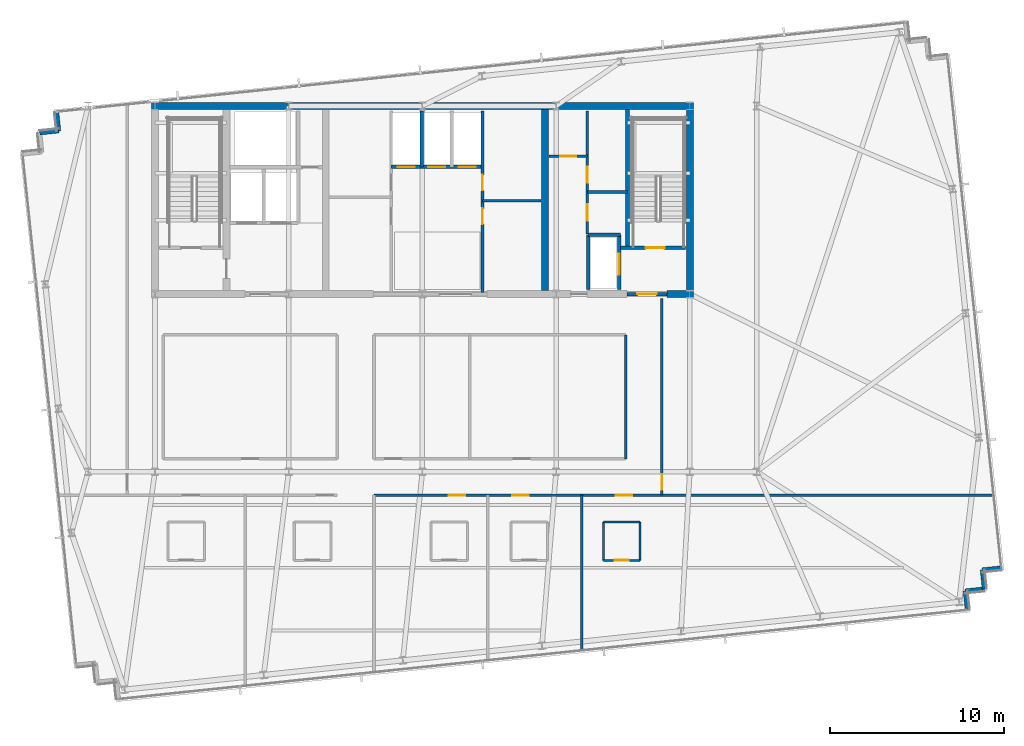
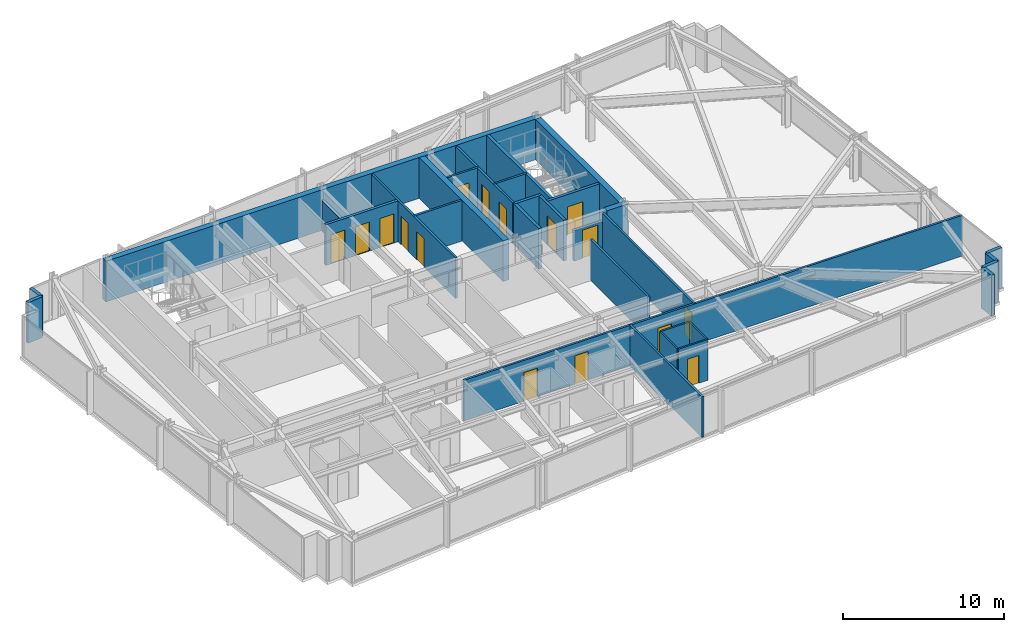
# One storey, part 28 of 33: 31 walls, 16 doors, 16 openings.
"""IFC4 building model written with IfcOpenShell, lengths in metres."""

from ifc_helpers import new_model, si_unit, direction, frame, frame_2d, origin, place, context, subcontext, project, spatial, rectangle, extrude, material, layer, layer_set, type_object, element, fill, save


model = new_model("IFC4")

# Units and contexts
model_context = context("Model", 3, precision=1e-05, world=origin(), true_north=direction((0.0, 1.0)))
body_context = subcontext(model_context, "Body", "Model", "MODEL_VIEW")
ifc_project = project(units=[si_unit("LENGTHUNIT", "METRE"), si_unit("AREAUNIT", "SQUARE_METRE"), si_unit("VOLUMEUNIT", "CUBIC_METRE"), si_unit("PLANEANGLEUNIT", "RADIAN"), si_unit("MASSUNIT", "GRAM", prefix="KILO")], contexts=[model_context])

# Site, building, storey
site_placement = place(None, origin())
site = spatial("IfcSite", under=ifc_project, at=site_placement, CompositionType="ELEMENT")
building_placement = place(site_placement, origin())
building = spatial("IfcBuilding", under=site, at=building_placement, Name="Yelkora Congress Tower", CompositionType="ELEMENT")
storey_placement = place(building_placement, frame((0.0, 0.0, 221.0)))
storey = spatial("IfcBuildingStorey", under=building, at=storey_placement, Name="L61", CompositionType="ELEMENT", Elevation=221.0)

# Walls
ifc_material_1 = material(Name="Concrete C50/60", Category="concrete")
ifc_layer_1 = layer(ifc_material_1, 0.219970703125)
ifc_layer_set_1 = layer_set([ifc_layer_1], Name="Concrete C50/60")
wall_type_1 = type_object("IfcWallType", Name="WALL-CORE-INT-220", PredefinedType="SHEAR", material=ifc_layer_set_1)
wall_1_placement = place(storey_placement, frame((50.179931640625, 38.050048828125, 0.0), z_axis=(0.0, 0.0, 1.0), x_axis=(0.0, 1.0, 0.0)))
element("IfcWall", 1, at=wall_1_placement, inside=storey, type_object=wall_type_1, Name="L61 ST02 West Stair Shear Wall", PredefinedType="SHEAR", context=body_context, shape_type="SweptSolid", body=[
    extrude(rectangle(XDim=7.949951171875, YDim=0.219970703125, at=frame_2d((3.97509765625, 0.0))), origin(), (0.0, 0.0, 1.0), 3.080078125),
])
ifc_layer_2 = layer(ifc_material_1, 0.39990234375)
ifc_layer_set_2 = layer_set([ifc_layer_2], Name="Concrete C50/60")
wall_type_2 = type_object("IfcWallType", Name="WALL-CORE-INT-400", PredefinedType="SHEAR", material=ifc_layer_set_2)
wall_2_placement = place(storey_placement, frame((22.840087890625, 46.199951171875, 0.0), z_axis=(0.0, 0.0, 1.0), x_axis=(1.0, 0.0, 0.0)))
element("IfcWall", 2, at=wall_2_placement, inside=storey, type_object=wall_type_2, Name="L61 Rear Core North Shear Wall", PredefinedType="SHEAR", context=body_context, shape_type="SweptSolid", body=[
    extrude(rectangle(XDim=31.119873046875, YDim=0.39990234375, at=frame_2d((15.56005859375, 0.0))), origin(), (0.0, 0.0, 1.0), 3.080078125),
])
wall_3_placement = place(storey_placement, frame((52.449951171875, 35.39990234375, 0.0), z_axis=(0.0, 0.0, 1.0), x_axis=(1.0, 0.0, 0.0)))
element("IfcWall", 3, at=wall_3_placement, inside=storey, type_object=wall_type_2, Name="L61 Rear Core South-East Shear Wall B", PredefinedType="SHEAR", context=body_context, shape_type="SweptSolid", body=[
    extrude(rectangle(XDim=1.510009765625, YDim=0.39990234375, at=frame_2d((0.7548828125, 0.0))), origin(), (0.0, 0.0, 1.0), 3.080078125),
])
for number, where, z_axis, x_axis, name in (
    (4, (45.449951171875, 35.60009765625, 0.0), (0.0, 0.0, 1.0), (0.0, 1.0, 0.0), "L61 Rear Core Cross Shear Wall C3"),
    (5, (53.760009765625, 35.60009765625, 0.0), (0.0, 0.0, 1.0), (0.0, 1.0, 0.0), "L61 Rear Core Cross Shear Wall E"),
):
    element("IfcWall", number, at=place(storey_placement, frame(where, z_axis=z_axis, x_axis=x_axis)), inside=storey, type_object=wall_type_2, Name=name, PredefinedType="SHEAR", context=body_context, shape_type="SweptSolid", body=[
        extrude(rectangle(XDim=10.39990234375, YDim=0.39990234375, at=frame_2d((5.199951171875, 0.0))), origin(), (0.0, 0.0, 1.0), 3.080078125),
    ])
ifc_material_2 = material(Name="Concrete C40/50", Category="concrete")
ifc_layer_3 = layer(ifc_material_2, 0.239990234375)
ifc_layer_set_3 = layer_set([ifc_layer_3], Name="Concrete C40/50")
wall_type_3 = type_object("IfcWallType", Name="WALL-EXT-LIMESTONE-240", PredefinedType="SOLIDWALL", material=ifc_layer_set_3)
wall_4_placement = place(storey_placement, frame((16.420166015625, 44.65380859375, 0.0), z_axis=(0.0, 0.0, 1.0), x_axis=(0.994541884982, 0.104338099541, 0.0)))
element("IfcWall", 6, at=wall_4_placement, inside=storey, type_object=wall_type_3, Name="L61 Serrated Corner Limestone Pier 8", PredefinedType="SOLIDWALL", context=body_context, shape_type="SweptSolid", body=[
    extrude(rectangle(XDim=1.099853515625, YDim=0.239990234375, at=frame_2d((0.5498046875, 0.0))), origin(), (0.0, 0.0, 1.0), 3.080078125),
])
for number, where, z_axis, x_axis, name in (
    (7, (17.513916015625, 44.7685546875, 0.0), (0.0, 0.0, 1.0), (-0.104534592565, 0.994521251134, 0.0), "L61 Serrated Corner Limestone Pier 9"),
    (8, (71.654052734375, 19.67041015625, 0.0), (0.0, 0.0, 1.0), (-0.994521251134, -0.104534592565, 0.0), "L61 Serrated Corner Limestone Pier 16"),
    (9, (70.56005859375, 19.555419921875, 0.0), (0.0, 0.0, 1.0), (0.104534592565, -0.994521251134, 0.0), "L61 Serrated Corner Limestone Pier 17"),
    (10, (70.675048828125, 18.46142578125, 0.0), (0.0, 0.0, 1.0), (-0.994521251134, -0.104534592565, 0.0), "L61 Serrated Corner Limestone Pier 18"),
    (11, (69.5810546875, 18.346435546875, 0.0), (0.0, 0.0, 1.0), (0.104534592565, -0.994521251134, 0.0), "L61 Serrated Corner Limestone Pier 19"),
):
    element("IfcWall", number, at=place(storey_placement, frame(where, z_axis=z_axis, x_axis=x_axis)), inside=storey, type_object=wall_type_3, Name=name, PredefinedType="SOLIDWALL", context=body_context, shape_type="SweptSolid", body=[
        extrude(rectangle(XDim=1.10009765625, YDim=0.239990234375, at=frame_2d((0.550048828125, 0.0))), origin(), (0.0, 0.0, 1.0), 3.080078125),
    ])
ifc_material_3 = material(Name="Moisture-resistant gypsum partition", Category="gypsum")
ifc_layer_4 = layer(ifc_material_3, 0.1201171875)
ifc_layer_set_4 = layer_set([ifc_layer_4], Name="Moisture-resistant gypsum partition")
wall_type_4 = type_object("IfcWallType", Name="WALL-INT-120-NR", PredefinedType="PARTITIONING", material=ifc_layer_set_4)
wall_5_placement = place(storey_placement, frame((48.81103515625, 22.300048828125, 0.0), z_axis=(0.0, 0.0, 1.0), x_axis=(1.0, 0.0, 0.0)))
element("IfcWall", 12, at=wall_5_placement, inside=storey, type_object=wall_type_4, Name="L61 Partition Wall 42", PredefinedType="PARTITIONING", context=body_context, shape_type="SweptSolid", body=[
    extrude(rectangle(XDim=2.099853515625, YDim=0.1201171875, at=frame_2d((1.0498046875, 0.0))), origin(), (0.0, 0.0, 1.0), 3.080078125),
])
for number, where, z_axis, x_axis, name in (
    (13, (48.81103515625, 20.10009765625, 0.0), (0.0, 0.0, 1.0), (0.0, 1.0, 0.0), "L61 Partition Wall 43"),
    (14, (50.910888671875, 20.10009765625, 0.0), (0.0, 0.0, 1.0), (0.0, 1.0, 0.0), "L61 Partition Wall 44"),
):
    element("IfcWall", number, at=place(storey_placement, frame(where, z_axis=z_axis, x_axis=x_axis)), inside=storey, type_object=wall_type_4, Name=name, PredefinedType="PARTITIONING", context=body_context, shape_type="SweptSolid", body=[
        extrude(rectangle(XDim=2.199951171875, YDim=0.1201171875, at=frame_2d((1.10009765625, 0.0))), origin(), (0.0, 0.0, 1.0), 3.080078125),
    ])

# Wall, opening, door
wall_6_placement = place(storey_placement, frame((48.81103515625, 20.10009765625, 0.0), z_axis=(0.0, 0.0, 1.0), x_axis=(1.0, 0.0, 0.0)))
wall_6 = element("IfcWall", 15, at=wall_6_placement, inside=storey, type_object=wall_type_4, Name="L61 Partition Wall 45", PredefinedType="PARTITIONING", context=body_context, shape_type="SweptSolid", body=[
    extrude(rectangle(XDim=2.099853515625, YDim=0.1201171875, at=frame_2d((1.0498046875, 0.0))), origin(), (0.0, 0.0, 1.0), 3.080078125),
])
opening_1_placement = place(wall_6_placement, frame((0.64990234375, 0.0, 0.0)))
opening_1 = element("IfcOpeningElement", 16, at=opening_1_placement, cuts=wall_6, Name="Opening DR-080B", PredefinedType="OPENING", context=body_context, shape_type="SweptSolid", body=[
    extrude(rectangle(XDim=0.800048828125, YDim=2.10009765625, at=frame_2d((0.39990234375, 1.050048828125))), frame((0.0, 0.070068359375, 0.0), z_axis=(0.0, -1.0, 0.0), x_axis=(1.0, 0.0, 0.0)), (0.0, 0.0, 1.0), 0.14013671875),
])
ifc_material_4 = material(Name="Moisture-sealed en-suite timber door", Category="wood")
door_type_1 = type_object("IfcDoorType", Name="DOOR-BATH-800", OperationType="NOTDEFINED", PredefinedType="DOOR", material=ifc_material_4)
door_1_placement = place(opening_1_placement, origin())
door_1 = element("IfcDoor", 17, at=door_1_placement, inside=storey, type_object=door_type_1, Name="L61 En-suite Door 6", OperationType="SINGLE_SWING_RIGHT", OverallHeight=2.10009765625, OverallWidth=0.800048828125, PredefinedType="DOOR", context=body_context, shape_type="SweptSolid", body=[
    extrude(rectangle(XDim=0.800048828125, YDim=2.10009765625, at=frame_2d((0.39990234375, 1.050048828125))), frame((0.0, 0.02490234375, 0.0), z_axis=(0.0, -1.0, 0.0), x_axis=(1.0, 0.0, 0.0)), (0.0, 0.0, 1.0), 0.050048828125),
])
fill(opening_1, door_1)

ifc_material_5 = material(Name="Acoustic metal-stud gypsum partition", Category="gypsum")
ifc_layer_5 = layer(ifc_material_5, 0.14990234375)
ifc_layer_set_5 = layer_set([ifc_layer_5], Name="Acoustic metal-stud gypsum partition")
wall_type_5 = type_object("IfcWallType", Name="WALL-INT-150-NR", PredefinedType="PARTITIONING", material=ifc_layer_set_5)
wall_7_placement = place(storey_placement, frame((45.679931640625, 43.31005859375, 0.0), z_axis=(0.0, 0.0, 1.0), x_axis=(1.0, 0.0, 0.0)))
wall_7 = element("IfcWall", 18, at=wall_7_placement, inside=storey, type_object=wall_type_5, Name="L61 Partition Wall 20", PredefinedType="PARTITIONING", context=body_context, shape_type="SweptSolid", body=[
    extrude(rectangle(XDim=2.199951171875, YDim=0.14990234375, at=frame_2d((1.10009765625, 0.0))), origin(), (0.0, 0.0, 1.0), 3.080078125),
])
opening_2_placement = place(wall_7_placement, frame((0.64990234375, 0.0, 0.0)))
opening_2 = element("IfcOpeningElement", 19, at=opening_2_placement, cuts=wall_7, Name="Opening DR-090N", PredefinedType="OPENING", context=body_context, shape_type="SweptSolid", body=[
    extrude(rectangle(XDim=0.89990234375, YDim=2.14990234375, at=frame_2d((0.449951171875, 1.074951171875))), frame((0.0, 0.0849609375, 0.0), z_axis=(0.0, -1.0, 0.0), x_axis=(1.0, 0.0, 0.0)), (0.0, 0.0, 1.0), 0.169921875),
])
ifc_material_6 = material(Name="Moisture-resistant laminate door leaf", Category="wood")
door_type_2 = type_object("IfcDoorType", Name="DOOR-INT-900", OperationType="NOTDEFINED", PredefinedType="DOOR", material=ifc_material_6)
door_2_placement = place(opening_2_placement, origin())
door_2 = element("IfcDoor", 20, at=door_2_placement, inside=storey, type_object=door_type_2, Name="L61 Male WC Door", OperationType="SINGLE_SWING_LEFT", OverallHeight=2.14990234375, OverallWidth=0.89990234375, PredefinedType="DOOR", context=body_context, shape_type="SweptSolid", body=[
    extrude(rectangle(XDim=0.89990234375, YDim=2.14990234375, at=frame_2d((0.449951171875, 1.074951171875))), frame((0.0, 0.02490234375, 0.0), z_axis=(0.0, -1.0, 0.0), x_axis=(1.0, 0.0, 0.0)), (0.0, 0.0, 1.0), 0.050048828125),
])
fill(opening_2, door_2)

# Wall
wall_8_placement = place(storey_placement, frame((47.8798828125, 41.260009765625, 0.0), z_axis=(0.0, 0.0, 1.0), x_axis=(1.0, 0.0, 0.0)))
element("IfcWall", 21, at=wall_8_placement, inside=storey, type_object=wall_type_5, Name="L61 Partition Wall 21", PredefinedType="PARTITIONING", context=body_context, shape_type="SweptSolid", body=[
    extrude(rectangle(XDim=2.300048828125, YDim=0.14990234375, at=frame_2d((1.14990234375, 0.0))), origin(), (0.0, 0.0, 1.0), 3.080078125),
])

# Wall, openings, doors
wall_9_placement = place(storey_placement, frame((47.8798828125, 38.85009765625, 0.0), z_axis=(0.0, 0.0, 1.0), x_axis=(0.0, 1.0, 0.0)))
wall_9 = element("IfcWall", 22, at=wall_9_placement, inside=storey, type_object=wall_type_5, Name="L61 Partition Wall 22", PredefinedType="PARTITIONING", context=body_context, shape_type="SweptSolid", body=[
    extrude(rectangle(XDim=7.06982421875, YDim=0.14990234375, at=frame_2d((3.534912109375, 0.0))), origin(), (0.0, 0.0, 1.0), 3.080078125),
])
opening_3_placement = place(wall_9_placement, frame((0.75, 0.0, 0.0)))
opening_3 = element("IfcOpeningElement", 23, at=opening_3_placement, cuts=wall_9, Name="Opening DR-095N", PredefinedType="OPENING", context=body_context, shape_type="SweptSolid", body=[
    extrude(rectangle(XDim=0.949951171875, YDim=2.14990234375, at=frame_2d((0.47509765625, 1.074951171875))), frame((0.0, 0.0849609375, 0.0), z_axis=(0.0, -1.0, 0.0), x_axis=(1.0, 0.0, 0.0)), (0.0, 0.0, 1.0), 0.169921875),
])
opening_4_placement = place(wall_9_placement, frame((2.949951171875, 0.0, 0.0)))
opening_4 = element("IfcOpeningElement", 24, at=opening_4_placement, cuts=wall_9, Name="Opening DR-090N", PredefinedType="OPENING", context=body_context, shape_type="SweptSolid", body=[
    extrude(rectangle(XDim=0.89990234375, YDim=2.14990234375, at=frame_2d((0.449951171875, 1.074951171875))), frame((0.0, 0.0849609375, 0.0), z_axis=(0.0, -1.0, 0.0), x_axis=(1.0, 0.0, 0.0)), (0.0, 0.0, 1.0), 0.169921875),
])
door_3_placement = place(opening_4_placement, origin())
door_3 = element("IfcDoor", 25, at=door_3_placement, inside=storey, type_object=door_type_2, Name="L61 Female WC Door", OperationType="SINGLE_SWING_LEFT", OverallHeight=2.14990234375, OverallWidth=0.89990234375, PredefinedType="DOOR", context=body_context, shape_type="SweptSolid", body=[
    extrude(rectangle(XDim=0.89990234375, YDim=2.14990234375, at=frame_2d((0.449951171875, 1.074951171875))), frame((0.0, 0.02490234375, 0.0), z_axis=(0.0, -1.0, 0.0), x_axis=(1.0, 0.0, 0.0)), (0.0, 0.0, 1.0), 0.050048828125),
])
fill(opening_4, door_3)
ifc_material_7 = material(Name="Acoustic laminated timber office door", Category="wood")
door_type_3 = type_object("IfcDoorType", Name="DOOR-INT-950", OperationType="NOTDEFINED", PredefinedType="DOOR", material=ifc_material_7)
door_4_placement = place(opening_3_placement, origin())
door_4 = element("IfcDoor", 26, at=door_4_placement, inside=storey, type_object=door_type_3, Name="L61 Accessible WC Door", OperationType="SINGLE_SWING_RIGHT", OverallHeight=2.14990234375, OverallWidth=0.949951171875, PredefinedType="DOOR", context=body_context, shape_type="SweptSolid", body=[
    extrude(rectangle(XDim=0.949951171875, YDim=2.14990234375, at=frame_2d((0.47509765625, 1.074951171875))), frame((0.0, 0.02490234375, 0.0), z_axis=(0.0, -1.0, 0.0), x_axis=(1.0, 0.0, 0.0)), (0.0, 0.0, 1.0), 0.050048828125),
])
fill(opening_3, door_4)

# Wall, opening, door
wall_10_placement = place(storey_placement, frame((52.159912109375, 23.85009765625, 0.0), z_axis=(0.0, 0.0, 1.0), x_axis=(0.0, 1.0, 0.0)))
wall_10 = element("IfcWall", 27, at=wall_10_placement, inside=storey, type_object=wall_type_5, Name="L61 Partition Wall 50", PredefinedType="PARTITIONING", context=body_context, shape_type="SweptSolid", body=[
    extrude(rectangle(XDim=11.289794921875, YDim=0.14990234375, at=frame_2d((5.64501953125, 0.0))), origin(), (0.0, 0.0, 1.0), 3.080078125),
])
opening_5_placement = place(wall_10_placement, frame((0.300048828125, 0.0, 0.0)))
opening_5 = element("IfcOpeningElement", 28, at=opening_5_placement, cuts=wall_10, Name="Opening DR-090N", PredefinedType="OPENING", context=body_context, shape_type="SweptSolid", body=[
    extrude(rectangle(XDim=0.89990234375, YDim=2.14990234375, at=frame_2d((0.449951171875, 1.074951171875))), frame((0.0, 0.0849609375, 0.0), z_axis=(0.0, -1.0, 0.0), x_axis=(1.0, 0.0, 0.0)), (0.0, 0.0, 1.0), 0.169921875),
])
door_5_placement = place(opening_5_placement, origin())
door_5 = element("IfcDoor", 29, at=door_5_placement, inside=storey, type_object=door_type_2, Name="L61 E Wing Door", OperationType="SINGLE_SWING_LEFT", OverallHeight=2.14990234375, OverallWidth=0.89990234375, PredefinedType="DOOR", context=body_context, shape_type="SweptSolid", body=[
    extrude(rectangle(XDim=0.89990234375, YDim=2.14990234375, at=frame_2d((0.449951171875, 1.074951171875))), frame((0.0, 0.02490234375, 0.0), z_axis=(0.0, -1.0, 0.0), x_axis=(1.0, 0.0, 0.0)), (0.0, 0.0, 1.0), 0.050048828125),
])
fill(opening_5, door_5)

# Walls
wall_11_placement = place(storey_placement, frame((50.080078125, 25.929931640625, 0.0), z_axis=(0.0, 0.0, 1.0), x_axis=(0.0, 1.0, 0.0)))
element("IfcWall", 30, at=wall_11_placement, inside=storey, type_object=wall_type_5, Name="L61 Partition Wall 52", PredefinedType="PARTITIONING", context=body_context, shape_type="SweptSolid", body=[
    extrude(rectangle(XDim=7.1201171875, YDim=0.14990234375, at=frame_2d((3.56005859375, 0.0))), origin(), (0.0, 0.0, 1.0), 3.080078125),
])
ifc_material_8 = material(Name="Twin-stud fire-rated gypsum partition", Category="gypsum")
ifc_layer_6 = layer(ifc_material_8, 0.14990234375)
ifc_layer_set_6 = layer_set([ifc_layer_6], Name="Twin-stud fire-rated gypsum partition")
wall_type_6 = type_object("IfcWallType", Name="WALL-INT-150-R60", PredefinedType="PARTITIONING", material=ifc_layer_set_6)
wall_12_placement = place(storey_placement, frame((41.85009765625, 40.75, 0.0), z_axis=(0.0, 0.0, 1.0), x_axis=(1.0, 0.0, 0.0)))
element("IfcWall", 31, at=wall_12_placement, inside=storey, type_object=wall_type_6, Name="L61 Partition Wall 13", PredefinedType="PARTITIONING", context=body_context, shape_type="SweptSolid", body=[
    extrude(rectangle(XDim=3.369873046875, YDim=0.14990234375, at=frame_2d((1.68505859375, 0.0))), origin(), (0.0, 0.0, 1.0), 3.080078125),
])

# Wall, openings, doors
wall_13_placement = place(storey_placement, frame((41.85009765625, 35.5, 0.0), z_axis=(0.0, 0.0, 1.0), x_axis=(0.0, 1.0, 0.0)))
wall_13 = element("IfcWall", 32, at=wall_13_placement, inside=storey, type_object=wall_type_6, Name="L61 Partition Wall 14", PredefinedType="PARTITIONING", context=body_context, shape_type="SweptSolid", body=[
    extrude(rectangle(XDim=10.419921875, YDim=0.14990234375, at=frame_2d((5.2099609375, 0.0))), origin(), (0.0, 0.0, 1.0), 3.080078125),
])
opening_6_placement = place(wall_13_placement, frame((3.919921875, 0.0, 0.0)))
opening_6 = element("IfcOpeningElement", 33, at=opening_6_placement, cuts=wall_13, Name="Opening DR-090F6", PredefinedType="OPENING", context=body_context, shape_type="SweptSolid", body=[
    extrude(rectangle(XDim=0.89990234375, YDim=2.14990234375, at=frame_2d((0.449951171875, 1.074951171875))), frame((0.0, 0.0849609375, 0.0), z_axis=(0.0, -1.0, 0.0), x_axis=(1.0, 0.0, 0.0)), (0.0, 0.0, 1.0), 0.169921875),
])
opening_7_placement = place(wall_13_placement, frame((5.85009765625, 0.0, 0.0)))
opening_7 = element("IfcOpeningElement", 34, at=opening_7_placement, cuts=wall_13, Name="Opening DR-090F6", PredefinedType="OPENING", context=body_context, shape_type="SweptSolid", body=[
    extrude(rectangle(XDim=0.89990234375, YDim=2.14990234375, at=frame_2d((0.449951171875, 1.074951171875))), frame((0.0, 0.0849609375, 0.0), z_axis=(0.0, -1.0, 0.0), x_axis=(1.0, 0.0, 0.0)), (0.0, 0.0, 1.0), 0.169921875),
])
ifc_material_9 = material(Name="Painted steel riser fire door leaf", Category="steel")
door_type_4 = type_object("IfcDoorType", Name="DOOR-FD60-900", OperationType="NOTDEFINED", PredefinedType="DOOR", material=ifc_material_9)
door_6_placement = place(opening_6_placement, origin())
door_6 = element("IfcDoor", 35, at=door_6_placement, inside=storey, type_object=door_type_4, Name="L61 High-Zone BMS Door", OperationType="SINGLE_SWING_RIGHT", OverallHeight=2.14990234375, OverallWidth=0.89990234375, PredefinedType="DOOR", context=body_context, shape_type="SweptSolid", body=[
    extrude(rectangle(XDim=0.89990234375, YDim=2.14990234375, at=frame_2d((0.449951171875, 1.074951171875))), frame((0.0, 0.02490234375, 0.0), z_axis=(0.0, -1.0, 0.0), x_axis=(1.0, 0.0, 0.0)), (0.0, 0.0, 1.0), 0.050048828125),
])
fill(opening_6, door_6)
door_7_placement = place(opening_7_placement, origin())
door_7 = element("IfcDoor", 36, at=door_7_placement, inside=storey, type_object=door_type_4, Name="L61 Linen Store Door", OperationType="SINGLE_SWING_LEFT", OverallHeight=2.14990234375, OverallWidth=0.89990234375, PredefinedType="DOOR", context=body_context, shape_type="SweptSolid", body=[
    extrude(rectangle(XDim=0.89990234375, YDim=2.14990234375, at=frame_2d((0.449951171875, 1.074951171875))), frame((0.0, 0.02490234375, 0.0), z_axis=(0.0, -1.0, 0.0), x_axis=(1.0, 0.0, 0.0)), (0.0, 0.0, 1.0), 0.050048828125),
])
fill(opening_7, door_7)

# Wall
wall_14_placement = place(storey_placement, frame((47.56201171875, 14.86572265625, 0.0), z_axis=(0.0, 0.0, 1.0), x_axis=(0.0, 1.0, 0.0)))
element("IfcWall", 37, at=wall_14_placement, inside=storey, type_object=wall_type_6, Name="L61 Partition Wall 46", PredefinedType="PARTITIONING", context=body_context, shape_type="SweptSolid", body=[
    extrude(rectangle(XDim=9.00439453125, YDim=0.14990234375, at=frame_2d((4.502197265625, 0.0))), origin(), (0.0, 0.0, 1.0), 3.080078125),
])

# Wall, openings, doors
wall_15_placement = place(storey_placement, frame((35.6201171875, 23.85009765625, 0.0), z_axis=(0.0, 0.0, 1.0), x_axis=(1.0, 0.0, 0.0)))
wall_15 = element("IfcWall", 38, at=wall_15_placement, inside=storey, type_object=wall_type_6, Name="L61 South Spine Wall East", PredefinedType="PARTITIONING", context=body_context, shape_type="SweptSolid", body=[
    extrude(rectangle(XDim=35.655029296875, YDim=0.14990234375, at=frame_2d((17.82763671875, 0.0))), origin(), (0.0, 0.0, 1.0), 3.080078125),
])
opening_8_placement = place(wall_15_placement, frame((4.299072265625, 0.0, 0.0)))
opening_8 = element("IfcOpeningElement", 39, at=opening_8_placement, cuts=wall_15, Name="Opening DR-095F6", PredefinedType="OPENING", context=body_context, shape_type="SweptSolid", body=[
    extrude(rectangle(XDim=0.949951171875, YDim=2.14990234375, at=frame_2d((0.47509765625, 1.074951171875))), frame((0.0, 0.0849609375, 0.0), z_axis=(0.0, -1.0, 0.0), x_axis=(1.0, 0.0, 0.0)), (0.0, 0.0, 1.0), 0.169921875),
])
opening_9_placement = place(wall_15_placement, frame((7.9384765625, 0.0, 0.0)))
opening_9 = element("IfcOpeningElement", 40, at=opening_9_placement, cuts=wall_15, Name="Opening DR-095F6", PredefinedType="OPENING", context=body_context, shape_type="SweptSolid", body=[
    extrude(rectangle(XDim=0.949951171875, YDim=2.14990234375, at=frame_2d((0.47509765625, 1.074951171875))), frame((0.0, 0.0849609375, 0.0), z_axis=(0.0, -1.0, 0.0), x_axis=(1.0, 0.0, 0.0)), (0.0, 0.0, 1.0), 0.169921875),
])
opening_10_placement = place(wall_15_placement, frame((13.881103515625, 0.0, 0.0)))
opening_10 = element("IfcOpeningElement", 41, at=opening_10_placement, cuts=wall_15, Name="Opening DR-095F6", PredefinedType="OPENING", context=body_context, shape_type="SweptSolid", body=[
    extrude(rectangle(XDim=0.949951171875, YDim=2.14990234375, at=frame_2d((0.47509765625, 1.074951171875))), frame((0.0, 0.0849609375, 0.0), z_axis=(0.0, -1.0, 0.0), x_axis=(1.0, 0.0, 0.0)), (0.0, 0.0, 1.0), 0.169921875),
])
ifc_material_10 = material(Name="Acoustic oak-veneer fire door leaf", Category="wood")
door_type_5 = type_object("IfcDoorType", Name="DOOR-FD60-950", OperationType="NOTDEFINED", PredefinedType="DOOR", material=ifc_material_10)
door_8_placement = place(opening_8_placement, origin())
door_8 = element("IfcDoor", 42, at=door_8_placement, inside=storey, type_object=door_type_5, Name="L61 Diplomatic Suite 04 Entry Door", OperationType="SINGLE_SWING_LEFT", OverallHeight=2.14990234375, OverallWidth=0.949951171875, PredefinedType="DOOR", context=body_context, shape_type="SweptSolid", body=[
    extrude(rectangle(XDim=0.949951171875, YDim=2.14990234375, at=frame_2d((0.47509765625, 1.074951171875))), frame((0.0, 0.02490234375, 0.0), z_axis=(0.0, -1.0, 0.0), x_axis=(1.0, 0.0, 0.0)), (0.0, 0.0, 1.0), 0.050048828125),
])
fill(opening_8, door_8)
door_9_placement = place(opening_9_placement, origin())
door_9 = element("IfcDoor", 43, at=door_9_placement, inside=storey, type_object=door_type_5, Name="L61 Hotel Guest Room 05 Entry Door", OperationType="SINGLE_SWING_RIGHT", OverallHeight=2.14990234375, OverallWidth=0.949951171875, PredefinedType="DOOR", context=body_context, shape_type="SweptSolid", body=[
    extrude(rectangle(XDim=0.949951171875, YDim=2.14990234375, at=frame_2d((0.47509765625, 1.074951171875))), frame((0.0, 0.02490234375, 0.0), z_axis=(0.0, -1.0, 0.0), x_axis=(1.0, 0.0, 0.0)), (0.0, 0.0, 1.0), 0.050048828125),
])
fill(opening_9, door_9)
door_10_placement = place(opening_10_placement, origin())
door_10 = element("IfcDoor", 44, at=door_10_placement, inside=storey, type_object=door_type_5, Name="L61 Diplomatic Suite 06 Entry Door", OperationType="SINGLE_SWING_LEFT", OverallHeight=2.14990234375, OverallWidth=0.949951171875, PredefinedType="DOOR", context=body_context, shape_type="SweptSolid", body=[
    extrude(rectangle(XDim=0.949951171875, YDim=2.14990234375, at=frame_2d((0.47509765625, 1.074951171875))), frame((0.0, 0.02490234375, 0.0), z_axis=(0.0, -1.0, 0.0), x_axis=(1.0, 0.0, 0.0)), (0.0, 0.0, 1.0), 0.050048828125),
])
fill(opening_10, door_10)

ifc_material_11 = material(Name="Autoclaved aerated concrete blockwork", Category="masonry")
ifc_layer_7 = layer(ifc_material_11, 0.199951171875)
ifc_layer_set_7 = layer_set([ifc_layer_7], Name="Autoclaved aerated concrete blockwork")
wall_type_7 = type_object("IfcWallType", Name="WALL-INT-200-R120", PredefinedType="PARTITIONING", material=ifc_layer_set_7)
wall_16_placement = place(storey_placement, frame((36.60009765625, 42.699951171875, 0.0), z_axis=(0.0, 0.0, 1.0), x_axis=(1.0, 0.0, 0.0)))
wall_16 = element("IfcWall", 45, at=wall_16_placement, inside=storey, type_object=wall_type_7, Name="L61 Partition Wall 8", PredefinedType="PARTITIONING", context=body_context, shape_type="SweptSolid", body=[
    extrude(rectangle(XDim=5.25, YDim=0.199951171875, at=frame_2d((2.625, 0.0))), origin(), (0.0, 0.0, 1.0), 3.080078125),
])
opening_11_placement = place(wall_16_placement, frame((0.375, 0.0, 0.0)))
opening_11 = element("IfcOpeningElement", 46, at=opening_11_placement, cuts=wall_16, Name="Opening LD-PS10", PredefinedType="OPENING", context=body_context, shape_type="SweptSolid", body=[
    extrude(rectangle(XDim=1.0, YDim=2.199951171875, at=frame_2d((0.5, 1.10009765625))), frame((0.0, 0.10986328125, 0.0), z_axis=(0.0, -1.0, 0.0), x_axis=(1.0, 0.0, 0.0)), (0.0, 0.0, 1.0), 0.219970703125),
])
opening_12_placement = place(wall_16_placement, frame((2.125, 0.0, 0.0)))
opening_12 = element("IfcOpeningElement", 47, at=opening_12_placement, cuts=wall_16, Name="Opening LD-PS10", PredefinedType="OPENING", context=body_context, shape_type="SweptSolid", body=[
    extrude(rectangle(XDim=1.0, YDim=2.199951171875, at=frame_2d((0.5, 1.10009765625))), frame((0.0, 0.10986328125, 0.0), z_axis=(0.0, -1.0, 0.0), x_axis=(1.0, 0.0, 0.0)), (0.0, 0.0, 1.0), 0.219970703125),
])
opening_13_placement = place(wall_16_placement, frame((3.875, 0.0, 0.0)))
opening_13 = element("IfcOpeningElement", 48, at=opening_13_placement, cuts=wall_16, Name="Opening LD-PS10", PredefinedType="OPENING", context=body_context, shape_type="SweptSolid", body=[
    extrude(rectangle(XDim=1.0, YDim=2.199951171875, at=frame_2d((0.5, 1.10009765625))), frame((0.0, 0.10986328125, 0.0), z_axis=(0.0, -1.0, 0.0), x_axis=(1.0, 0.0, 0.0)), (0.0, 0.0, 1.0), 0.219970703125),
])
ifc_material_12 = material(Name="Champagne stainless steel landing door", Category="steel")
door_type_6 = type_object("IfcDoorType", Name="DOOR-LIFT-PAS-1000", OperationType="DOUBLE_DOOR_SLIDING", PredefinedType="DOOR", material=ifc_material_12)
door_11_placement = place(opening_11_placement, origin())
door_11 = element("IfcDoor", 49, at=door_11_placement, inside=storey, type_object=door_type_6, Name="Lift Landing Door LF-P9 L61", OperationType="DOUBLE_DOOR_SLIDING", OverallHeight=2.199951171875, OverallWidth=1.0, PredefinedType="DOOR", context=body_context, shape_type="SweptSolid", body=[
    extrude(rectangle(XDim=1.0, YDim=2.199951171875, at=frame_2d((0.5, 1.10009765625))), frame((0.0, 0.02490234375, 0.0), z_axis=(0.0, -1.0, 0.0), x_axis=(1.0, 0.0, 0.0)), (0.0, 0.0, 1.0), 0.050048828125),
])
fill(opening_11, door_11)
door_12_placement = place(opening_12_placement, origin())
door_12 = element("IfcDoor", 50, at=door_12_placement, inside=storey, type_object=door_type_6, Name="Lift Landing Door LF-P10 L61", OperationType="DOUBLE_DOOR_SLIDING", OverallHeight=2.199951171875, OverallWidth=1.0, PredefinedType="DOOR", context=body_context, shape_type="SweptSolid", body=[
    extrude(rectangle(XDim=1.0, YDim=2.199951171875, at=frame_2d((0.5, 1.10009765625))), frame((0.0, 0.02490234375, 0.0), z_axis=(0.0, -1.0, 0.0), x_axis=(1.0, 0.0, 0.0)), (0.0, 0.0, 1.0), 0.050048828125),
])
fill(opening_12, door_12)
door_13_placement = place(opening_13_placement, origin())
door_13 = element("IfcDoor", 51, at=door_13_placement, inside=storey, type_object=door_type_6, Name="Lift Landing Door LF-P11 L61", OperationType="DOUBLE_DOOR_SLIDING", OverallHeight=2.199951171875, OverallWidth=1.0, PredefinedType="DOOR", context=body_context, shape_type="SweptSolid", body=[
    extrude(rectangle(XDim=1.0, YDim=2.199951171875, at=frame_2d((0.5, 1.10009765625))), frame((0.0, 0.02490234375, 0.0), z_axis=(0.0, -1.0, 0.0), x_axis=(1.0, 0.0, 0.0)), (0.0, 0.0, 1.0), 0.050048828125),
])
fill(opening_13, door_13)

# Wall
wall_17_placement = place(storey_placement, frame((38.35009765625, 42.699951171875, 0.0), z_axis=(0.0, 0.0, 1.0), x_axis=(0.0, 1.0, 0.0)))
element("IfcWall", 52, at=wall_17_placement, inside=storey, type_object=wall_type_7, Name="L61 Partition Wall 9", PredefinedType="PARTITIONING", context=body_context, shape_type="SweptSolid", body=[
    extrude(rectangle(XDim=3.219970703125, YDim=0.199951171875, at=frame_2d((1.60986328125, 0.0))), origin(), (0.0, 0.0, 1.0), 2.31298828125),
])

# Wall, opening, door
wall_18_placement = place(storey_placement, frame((49.780029296875, 38.050048828125, 0.0), z_axis=(0.0, 0.0, 1.0), x_axis=(1.0, 0.0, 0.0)))
wall_18 = element("IfcWall", 53, at=wall_18_placement, inside=storey, type_object=wall_type_7, Name="L61 Stair ST-02 Enclosure Wall", PredefinedType="PARTITIONING", context=body_context, shape_type="SweptSolid", body=[
    extrude(rectangle(XDim=3.719970703125, YDim=0.199951171875, at=frame_2d((1.85986328125, 0.0))), origin(), (0.0, 0.0, 1.0), 3.080078125),
])
opening_14_placement = place(wall_18_placement, frame((1.436279296875, 0.0, 0.0)))
opening_14 = element("IfcOpeningElement", 54, at=opening_14_placement, cuts=wall_18, Name="Opening DR-110F9", PredefinedType="OPENING", context=body_context, shape_type="SweptSolid", body=[
    extrude(rectangle(XDim=1.10009765625, YDim=2.14990234375, at=frame_2d((0.550048828125, 1.074951171875))), frame((0.0, 0.10986328125, 0.0), z_axis=(0.0, -1.0, 0.0), x_axis=(1.0, 0.0, 0.0)), (0.0, 0.0, 1.0), 0.219970703125),
])
ifc_material_13 = material(Name="Galvanised steel fire door leaf", Category="steel")
door_type_7 = type_object("IfcDoorType", Name="DOOR-FD90-1100", OperationType="NOTDEFINED", PredefinedType="DOOR", material=ifc_material_13)
door_14_placement = place(opening_14_placement, origin())
door_14 = element("IfcDoor", 55, at=door_14_placement, inside=storey, type_object=door_type_7, Name="L61 Stair ST-02 Entry Door", OperationType="SINGLE_SWING_RIGHT", OverallHeight=2.14990234375, OverallWidth=1.10009765625, PredefinedType="DOOR", context=body_context, shape_type="SweptSolid", body=[
    extrude(rectangle(XDim=1.10009765625, YDim=2.14990234375, at=frame_2d((0.550048828125, 1.074951171875))), frame((0.0, 0.02490234375, 0.0), z_axis=(0.0, -1.0, 0.0), x_axis=(1.0, 0.0, 0.0)), (0.0, 0.0, 1.0), 0.050048828125),
])
fill(opening_14, door_14)

wall_19_placement = place(storey_placement, frame((50.14990234375, 35.39990234375, 0.0), z_axis=(0.0, 0.0, 1.0), x_axis=(1.0, 0.0, 0.0)))
wall_19 = element("IfcWall", 56, at=wall_19_placement, inside=storey, type_object=wall_type_7, Name="L61 Partition Wall 16", PredefinedType="PARTITIONING", context=body_context, shape_type="SweptSolid", body=[
    extrude(rectangle(XDim=2.300048828125, YDim=0.199951171875, at=frame_2d((1.14990234375, 0.0))), origin(), (0.0, 0.0, 1.0), 2.31298828125),
])
opening_15_placement = place(wall_19_placement, frame((0.60009765625, 0.0, 0.0)))
opening_15 = element("IfcOpeningElement", 57, at=opening_15_placement, cuts=wall_19, Name="Opening DR-110F9", PredefinedType="OPENING", context=body_context, shape_type="SweptSolid", body=[
    extrude(rectangle(XDim=1.10009765625, YDim=2.14990234375, at=frame_2d((0.550048828125, 1.074951171875))), frame((0.0, 0.10986328125, 0.0), z_axis=(0.0, -1.0, 0.0), x_axis=(1.0, 0.0, 0.0)), (0.0, 0.0, 1.0), 0.219970703125),
])
door_15_placement = place(opening_15_placement, origin())
door_15 = element("IfcDoor", 58, at=door_15_placement, inside=storey, type_object=door_type_7, Name="L61 East Stair Lobby Door", OperationType="SINGLE_SWING_LEFT", OverallHeight=2.14990234375, OverallWidth=1.10009765625, PredefinedType="DOOR", context=body_context, shape_type="SweptSolid", body=[
    extrude(rectangle(XDim=1.10009765625, YDim=2.14990234375, at=frame_2d((0.550048828125, 1.074951171875))), frame((0.0, 0.02490234375, 0.0), z_axis=(0.0, -1.0, 0.0), x_axis=(1.0, 0.0, 0.0)), (0.0, 0.0, 1.0), 0.050048828125),
])
fill(opening_15, door_15)

wall_20_placement = place(storey_placement, frame((49.699951171875, 35.64990234375, 0.0), z_axis=(0.0, 0.0, 1.0), x_axis=(0.0, 1.0, 0.0)))
wall_20 = element("IfcWall", 59, at=wall_20_placement, inside=storey, type_object=wall_type_7, Name="L61 Partition Wall 17", PredefinedType="PARTITIONING", context=body_context, shape_type="SweptSolid", body=[
    extrude(rectangle(XDim=3.150146484375, YDim=0.199951171875, at=frame_2d((1.5751953125, 0.0))), origin(), (0.0, 0.0, 1.0), 3.080078125),
])
opening_16_placement = place(wall_20_placement, frame((0.85009765625, 0.0, 0.0)))
opening_16 = element("IfcOpeningElement", 60, at=opening_16_placement, cuts=wall_20, Name="Opening LD-SV12", PredefinedType="OPENING", context=body_context, shape_type="SweptSolid", body=[
    extrude(rectangle(XDim=1.199951171875, YDim=2.199951171875, at=frame_2d((0.60009765625, 1.10009765625))), frame((0.0, 0.10986328125, 0.0), z_axis=(0.0, -1.0, 0.0), x_axis=(1.0, 0.0, 0.0)), (0.0, 0.0, 1.0), 0.219970703125),
])
ifc_material_14 = material(Name="Heavy-duty stainless steel landing door", Category="steel")
door_type_8 = type_object("IfcDoorType", Name="DOOR-LIFT-SRV-1200", OperationType="DOUBLE_DOOR_SLIDING", PredefinedType="DOOR", material=ifc_material_14)
door_16_placement = place(opening_16_placement, origin())
door_16 = element("IfcDoor", 61, at=door_16_placement, inside=storey, type_object=door_type_8, Name="Service Lift Landing Door LF-SV1 L61", OperationType="DOUBLE_DOOR_SLIDING", OverallHeight=2.199951171875, OverallWidth=1.199951171875, PredefinedType="DOOR", context=body_context, shape_type="SweptSolid", body=[
    extrude(rectangle(XDim=1.199951171875, YDim=2.199951171875, at=frame_2d((0.60009765625, 1.10009765625))), frame((0.0, 0.02490234375, 0.0), z_axis=(0.0, -1.0, 0.0), x_axis=(1.0, 0.0, 0.0)), (0.0, 0.0, 1.0), 0.050048828125),
])
fill(opening_16, door_16)

# Walls
wall_21_placement = place(storey_placement, frame((47.919921875, 35.64990234375, 0.0), z_axis=(0.0, 0.0, 1.0), x_axis=(0.0, 1.0, 0.0)))
element("IfcWall", 62, at=wall_21_placement, inside=storey, type_object=wall_type_7, Name="L61 Partition Wall 18", PredefinedType="PARTITIONING", context=body_context, shape_type="SweptSolid", body=[
    extrude(rectangle(XDim=3.150146484375, YDim=0.199951171875, at=frame_2d((1.5751953125, 0.0))), origin(), (0.0, 0.0, 1.0), 3.080078125),
])
wall_22_placement = place(storey_placement, frame((47.919921875, 38.800048828125, 0.0), z_axis=(0.0, 0.0, 1.0), x_axis=(1.0, 0.0, 0.0)))
element("IfcWall", 63, at=wall_22_placement, inside=storey, type_object=wall_type_7, Name="L61 Partition Wall 19", PredefinedType="PARTITIONING", context=body_context, shape_type="SweptSolid", body=[
    extrude(rectangle(XDim=1.860107421875, YDim=0.199951171875, at=frame_2d((0.93017578125, 0.0))), origin(), (0.0, 0.0, 1.0), 3.080078125),
])

save(model, "model.ifc")
